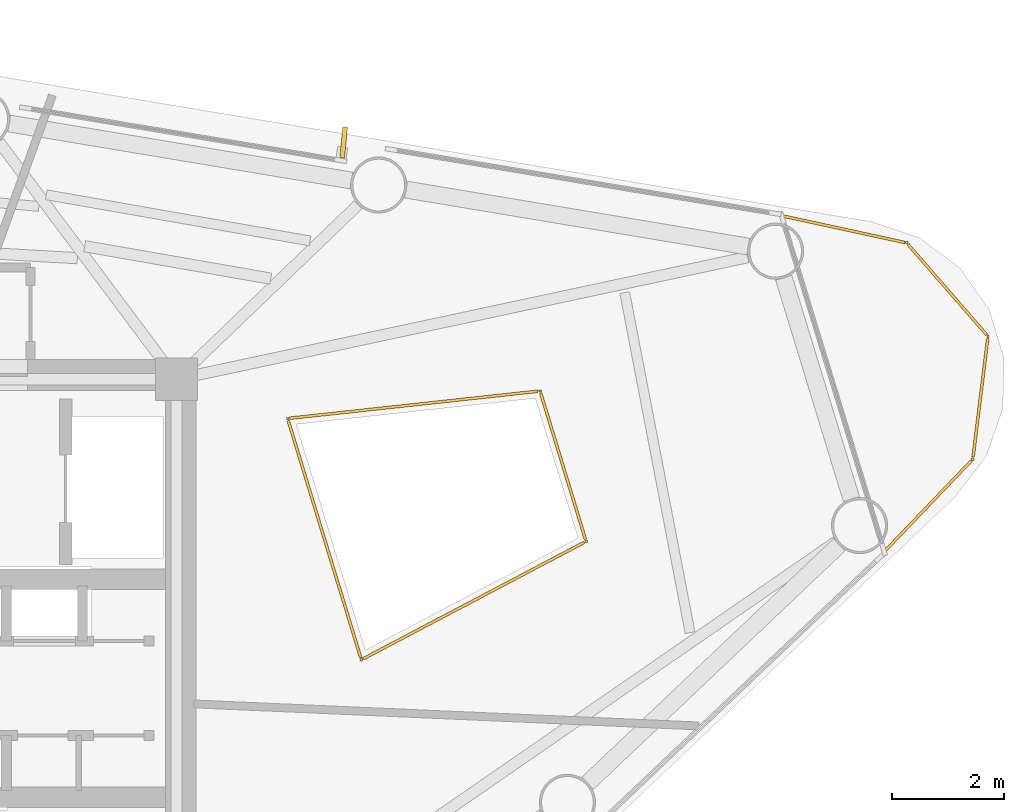
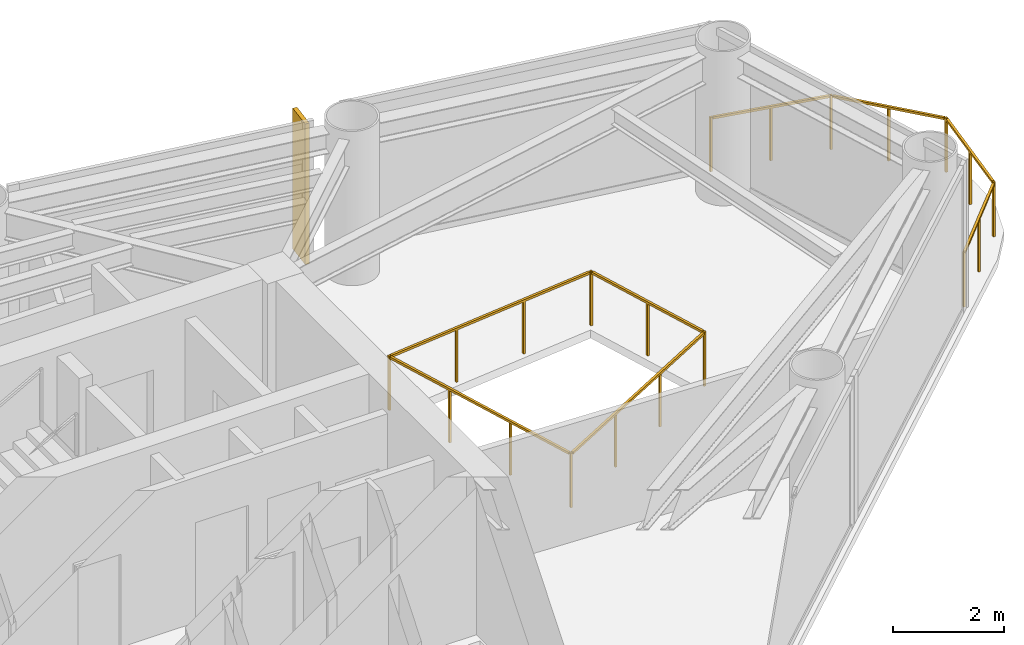
# One storey, part 9 of 9: 2 railings, 1 shading device.
"""IFC4 building model written with IfcOpenShell, lengths in metres."""

from ifc_helpers import new_model, si_unit, direction, frame, origin, origin_2d, place, context, subcontext, project, spatial, rectangle, extrude, source, transform, mapped, material, material_profile, profile_set, type_object, element, save


model = new_model("IFC4")

# Units and contexts
model_context = context("Model", 3, precision=1e-05, world=origin(), true_north=direction((0.0, 1.0)))
body_context = subcontext(model_context, "Body", "Model", "MODEL_VIEW")
ifc_project = project(units=[si_unit("LENGTHUNIT", "METRE"), si_unit("AREAUNIT", "SQUARE_METRE"), si_unit("VOLUMEUNIT", "CUBIC_METRE"), si_unit("PLANEANGLEUNIT", "RADIAN"), si_unit("MASSUNIT", "GRAM", prefix="KILO")], contexts=[model_context])

# Site, building, storey
site_placement = place(None, origin())
site = spatial("IfcSite", under=ifc_project, at=site_placement, CompositionType="ELEMENT")
building_placement = place(site_placement, origin())
building = spatial("IfcBuilding", under=site, at=building_placement, Name="Yunling Apex Tower", CompositionType="ELEMENT")
storey_placement = place(building_placement, frame((0.0, 0.0, 245.64990234375)))
storey = spatial("IfcBuildingStorey", under=building, at=storey_placement, Name="L60", CompositionType="ELEMENT", Elevation=245.64990234375)

# Railings
ifc_material = material(Name="Bronze anodised aluminium", Category="aluminium")
railing_type = type_object("IfcRailingType", Name="RL-BAL-1200", PredefinedType="BALUSTRADE", material=ifc_material)
railing_1_placement = place(storey_placement, frame((16.8173828125, 8.41064453125, 0.0)))
element("IfcRailing", 1, at=railing_1_placement, inside=storey, type_object=railing_type, Name="RL-CRNSILL-L60-1", PredefinedType="BALUSTRADE", context=body_context, shape_type="SweptSolid", body=[
    extrude(rectangle(XDim=0.0439453125, YDim=0.0439453125, at=origin_2d()), origin(), (0.0, 0.0, 1.0), 1.199951171875),
    extrude(rectangle(XDim=0.0439453125, YDim=0.0439453125, at=origin_2d()), frame((2.2275390625, -0.484130859375, 0.0)), (0.0, 0.0, 1.0), 1.199951171875),
    extrude(rectangle(XDim=0.050048828125, YDim=0.050048828125, at=origin_2d()), frame((0.037353515625, -0.008056640625, 1.1748046875), z_axis=(0.977186995442, -0.212380733446, 0.0), x_axis=(0.212380733446, 0.977186995442, 0.0)), (0.0, 0.0, 1.0), 2.202880859375),
    extrude(rectangle(XDim=0.0439453125, YDim=0.0439453125, at=origin_2d()), frame((1.11376953125, -0.2421875, 0.0)), (0.0, 0.0, 1.0), 1.14599609375),
    extrude(rectangle(XDim=0.0439453125, YDim=0.0439453125, at=origin_2d()), frame((3.673828125, -2.145751953125, 0.0)), (0.0, 0.0, 1.0), 1.199951171875),
    extrude(rectangle(XDim=0.050048828125, YDim=0.050048828125, at=origin_2d()), frame((2.252685546875, -0.512939453125, 1.1748046875), z_axis=(0.656540826245, -0.754290490112, 0.0), x_axis=(0.754290490112, 0.656540826245, 0.0)), (0.0, 0.0, 1.0), 2.126220703125),
    extrude(rectangle(XDim=0.0439453125, YDim=0.0439453125, at=origin_2d()), frame((2.95068359375, -1.31494140625, 0.0)), (0.0, 0.0, 1.0), 1.14599609375),
    extrude(rectangle(XDim=0.0439453125, YDim=0.0439453125, at=origin_2d()), frame((3.404052734375, -4.332275390625, 0.0)), (0.0, 0.0, 1.0), 1.199951171875),
    extrude(rectangle(XDim=0.050048828125, YDim=0.050048828125, at=origin_2d()), frame((3.669189453125, -2.183837890625, 1.1748046875), z_axis=(-0.122452455401, -0.992474380609, 0.0), x_axis=(0.992474380609, -0.122452455401, 0.0)), (0.0, 0.0, 1.0), 2.12646484375),
    extrude(rectangle(XDim=0.0439453125, YDim=0.0439453125, at=origin_2d()), frame((3.5390625, -3.239013671875, 0.0)), (0.0, 0.0, 1.0), 1.14599609375),
    extrude(rectangle(XDim=0.0439453125, YDim=0.0439453125, at=origin_2d()), frame((1.828125, -5.979248046875, 0.0)), (0.0, 0.0, 1.0), 1.199951171875),
    extrude(rectangle(XDim=0.050048828125, YDim=0.050048828125, at=origin_2d()), frame((3.37744140625, -4.35986328125, 1.1748046875), z_axis=(-0.691351518359, -0.722518565895, 0.0), x_axis=(0.722518565895, -0.691351518359, 0.0)), (0.0, 0.0, 1.0), 2.202880859375),
    extrude(rectangle(XDim=0.0439453125, YDim=0.0439453125, at=origin_2d()), frame((2.6162109375, -5.15576171875, 0.0)), (0.0, 0.0, 1.0), 1.14599609375),
])
railing_2_placement = place(storey_placement, frame((8.02685546875, 4.8017578125, 0.0)))
element("IfcRailing", 2, at=railing_2_placement, inside=storey, type_object=railing_type, Name="RL-TATR-L60", PredefinedType="BALUSTRADE", context=body_context, shape_type="SweptSolid", body=[
    extrude(rectangle(XDim=0.0439453125, YDim=0.0439453125, at=origin_2d()), origin(), (0.0, 0.0, 1.0), 1.199951171875),
    extrude(rectangle(XDim=0.0439453125, YDim=0.0439453125, at=origin_2d()), frame((4.4931640625, 0.4892578125, 0.0)), (0.0, 0.0, 1.0), 1.199951171875),
    extrude(rectangle(XDim=0.050048828125, YDim=0.050048828125, at=origin_2d()), frame((0.0380859375, 0.004150390625, 1.1748046875), z_axis=(0.994123756521, 0.108249511414, 0.0), x_axis=(-0.108249511414, 0.994123756521, 0.0)), (0.0, 0.0, 1.0), 4.443115234375),
    extrude(rectangle(XDim=0.0439453125, YDim=0.0439453125, at=origin_2d()), frame((1.497802734375, 0.1630859375, 0.0)), (0.0, 0.0, 1.0), 1.14599609375),
    extrude(rectangle(XDim=0.0439453125, YDim=0.0439453125, at=origin_2d()), frame((2.995361328125, 0.326171875, 0.0)), (0.0, 0.0, 1.0), 1.14599609375),
    extrude(rectangle(XDim=0.0439453125, YDim=0.0439453125, at=origin_2d()), frame((5.3115234375, -2.18701171875, 0.0)), (0.0, 0.0, 1.0), 1.199951171875),
    extrude(rectangle(XDim=0.050048828125, YDim=0.050048828125, at=origin_2d()), frame((4.50439453125, 0.45263671875, 1.1748046875), z_axis=(0.292417998169, -0.956290601411, 0.0), x_axis=(0.956290601411, 0.292417998169, 0.0)), (0.0, 0.0, 1.0), 2.721923828125),
    extrude(rectangle(XDim=0.0439453125, YDim=0.0439453125, at=origin_2d()), frame((4.90234375, -0.848876953125, 0.0)), (0.0, 0.0, 1.0), 1.14599609375),
    extrude(rectangle(XDim=0.0439453125, YDim=0.0439453125, at=origin_2d()), frame((1.312744140625, -4.2939453125, 0.0)), (0.0, 0.0, 1.0), 1.199951171875),
    extrude(rectangle(XDim=0.050048828125, YDim=0.050048828125, at=origin_2d()), frame((5.277587890625, -2.204833984375, 1.1748046875), z_axis=(-0.884707228161, -0.466147101717, 0.0), x_axis=(0.466147101717, -0.884707228161, 0.0)), (0.0, 0.0, 1.0), 4.443115234375),
    extrude(rectangle(XDim=0.0439453125, YDim=0.0439453125, at=origin_2d()), frame((3.978515625, -2.889404296875, 0.0)), (0.0, 0.0, 1.0), 1.14599609375),
    extrude(rectangle(XDim=0.0439453125, YDim=0.0439453125, at=origin_2d()), frame((2.645751953125, -3.591552734375, 0.0)), (0.0, 0.0, 1.0), 1.14599609375),
    extrude(rectangle(XDim=0.050048828125, YDim=0.050048828125, at=origin_2d()), frame((1.301513671875, -4.25732421875, 1.1748046875), z_axis=(-0.292362196042, 0.956307663007, 0.0), x_axis=(-0.956307663007, -0.292362196042, 0.0)), (0.0, 0.0, 1.0), 4.41357421875),
    extrude(rectangle(XDim=0.0439453125, YDim=0.0439453125, at=origin_2d()), frame((0.875244140625, -2.862548828125, 0.0)), (0.0, 0.0, 1.0), 1.14599609375),
    extrude(rectangle(XDim=0.0439453125, YDim=0.0439453125, at=origin_2d()), frame((0.4375, -1.431396484375, 0.0)), (0.0, 0.0, 1.0), 1.14599609375),
])

# Shading device
ifc_material_profile = material_profile(ifc_material, rectangle(XDim=0.0849609375, YDim=0.550048828125, at=origin_2d()))
ifc_profile_set = profile_set([ifc_material_profile], Name="Bronze anodised aluminium")
shading_device_type = type_object("IfcShadingDeviceType", Name="FN-BRZ-3", PredefinedType="USERDEFINED", material=ifc_profile_set)
shared_shape = source(origin(), body_context, "Body", "SweptSolid", [
    extrude(rectangle(XDim=0.0849609375, YDim=0.550048828125, at=origin_2d()), origin(), (0.0, 0.0, 1.0), 3.10009765625),
])
shading_device_placement = place(storey_placement, frame((9.0244140625, 9.71435546875, 0.06005859375), z_axis=(0.0, 0.0, 1.0), x_axis=(-0.995038220239, 0.099493418189, 0.0)))
element("IfcShadingDevice", 3, at=shading_device_placement, inside=storey, type_object=shading_device_type, Name="CW-L60-F2-B2-FIN-01", ObjectType="FIN", PredefinedType="USERDEFINED", context=body_context, shape_type="MappedRepresentation", body=[
    mapped(shared_shape, transform((0.0, 0.0, 0.0), scale=1.0)),
])

save(model, "model.ifc")
